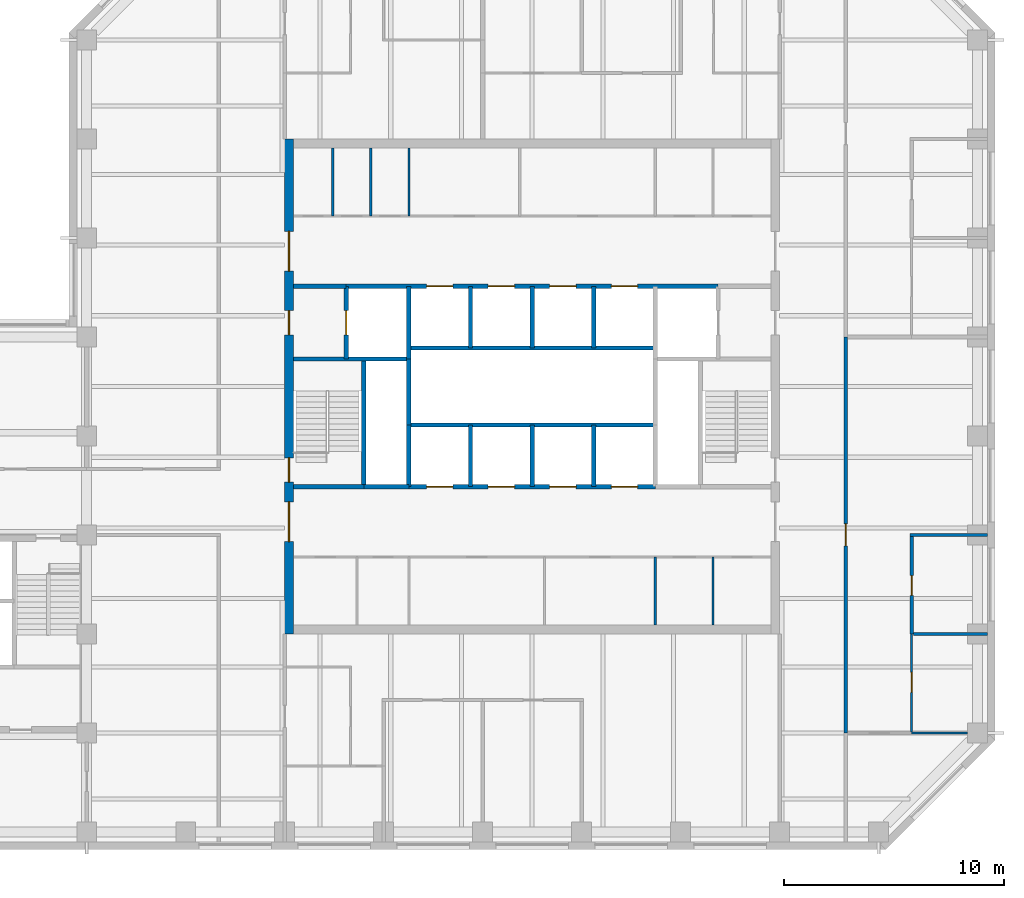
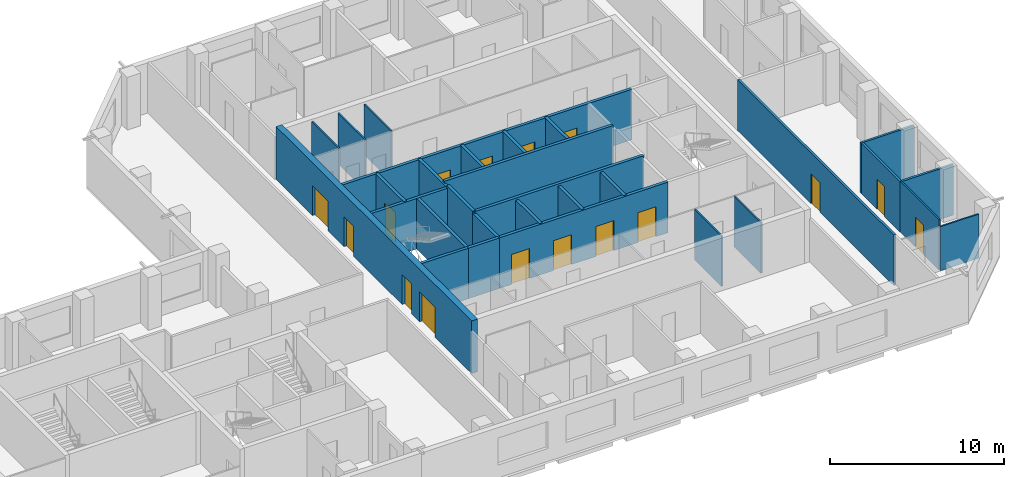
# One storey, part 5 of 9: 31 walls, 16 doors, 16 openings.
"""IFC4 building model written with IfcOpenShell, lengths in metres."""

from ifc_helpers import new_model, si_unit, direction, frame, frame_2d, origin, place, context, subcontext, project, spatial, rectangle, extrude, material, layer, layer_set, type_object, element, fill, save


model = new_model("IFC4")

# Units and contexts
model_context = context("Model", 3, precision=1e-05, world=origin(), true_north=direction((0.0, 1.0)))
body_context = subcontext(model_context, "Body", "Model", "MODEL_VIEW")
ifc_project = project(units=[si_unit("LENGTHUNIT", "METRE"), si_unit("AREAUNIT", "SQUARE_METRE"), si_unit("VOLUMEUNIT", "CUBIC_METRE"), si_unit("PLANEANGLEUNIT", "RADIAN"), si_unit("MASSUNIT", "GRAM", prefix="KILO")], contexts=[model_context])

# Site, building, storey
site_placement = place(None, origin())
site = spatial("IfcSite", under=ifc_project, at=site_placement, CompositionType="ELEMENT")
building_placement = place(site_placement, origin())
building = spatial("IfcBuilding", under=site, at=building_placement, Name="Quoin Convention Tower", CompositionType="ELEMENT")
storey_placement = place(building_placement, frame((0.0, 0.0, 245.199951171875)))
storey = spatial("IfcBuildingStorey", under=building, at=storey_placement, Name="L64", CompositionType="ELEMENT", Elevation=245.199951171875)

# Walls
ifc_material_1 = material(Name="Plasterboard")
ifc_layer_1 = layer(ifc_material_1, 0.012451171875, Name="Finish")
ifc_material_2 = material(Name="Steel stud framing", Category="steel")
ifc_layer_2 = layer(ifc_material_2, 0.125, Name="Structure")
ifc_layer_3 = layer(ifc_material_1, 0.012451171875, Name="Finish")
ifc_layer_set_1 = layer_set([ifc_layer_1, ifc_layer_2, ifc_layer_3], Name="Steel stud framing")
wall_type_1 = type_object("IfcWallType", Name="Acoustic partition 150", PredefinedType="PARTITIONING", material=ifc_layer_set_1)
wall_1_placement = place(storey_placement, frame((73.574951171875, 49.5, 0.0), z_axis=(0.0, 0.0, 1.0), x_axis=(1.0, 0.0, 0.0)))
element("IfcWall", 1, at=wall_1_placement, inside=storey, type_object=wall_type_1, Name="pw-L64-013", PredefinedType="PARTITIONING", context=body_context, shape_type="SweptSolid", body=[
    extrude(rectangle(XDim=3.375, YDim=0.14990234375, at=frame_2d((1.6875, 0.0))), origin(), (0.0, 0.0, 1.0), 3.550048828125),
])
wall_2_placement = place(storey_placement, frame((73.425048828125, 54.0, 0.0), z_axis=(0.0, 0.0, 1.0), x_axis=(1.0, 0.0, 0.0)))
element("IfcWall", 2, at=wall_2_placement, inside=storey, type_object=wall_type_1, Name="pw-L64-017", PredefinedType="PARTITIONING", context=body_context, shape_type="SweptSolid", body=[
    extrude(rectangle(XDim=3.52490234375, YDim=0.14990234375, at=frame_2d((1.762451171875, 0.0))), origin(), (0.0, 0.0, 1.0), 3.550048828125),
])

# Wall, opening, door
wall_3_placement = place(storey_placement, frame((73.5, 49.5, 0.0), z_axis=(0.0, 0.0, 1.0), x_axis=(0.0, 1.0, 0.0)))
wall_3 = element("IfcWall", 3, at=wall_3_placement, inside=storey, type_object=wall_type_1, Name="pw-L64-054", PredefinedType="PARTITIONING", context=body_context, shape_type="SweptSolid", body=[
    extrude(rectangle(XDim=4.425048828125, YDim=0.14990234375, at=frame_2d((2.21240234375, 0.0))), origin(), (0.0, 0.0, 1.0), 3.550048828125),
])
opening_1_placement = place(wall_3_placement, frame((1.75, 0.0, 0.0)))
opening_1 = element("IfcOpeningElement", 4, at=opening_1_placement, cuts=wall_3, Name="Opening DOH12-14", PredefinedType="OPENING", context=body_context, shape_type="SweptSolid", body=[
    extrude(rectangle(XDim=0.89990234375, YDim=2.10009765625, at=frame_2d((0.449951171875, 1.050048828125))), frame((0.0, 0.0849609375, 0.0), z_axis=(0.0, -1.0, 0.0), x_axis=(1.0, 0.0, 0.0)), (0.0, 0.0, 1.0), 0.169921875),
])
ifc_material_3 = material(Name="Steel door leaf", Category="steel")
door_type_1 = type_object("IfcDoorType", Name="Office door 900 x 2100", OperationType="SINGLE_SWING_RIGHT", PredefinedType="DOOR", material=ifc_material_3)
door_1_placement = place(opening_1_placement, origin())
door_1 = element("IfcDoor", 5, at=door_1_placement, inside=storey, type_object=door_type_1, Name="dr-L64-26", OperationType="SINGLE_SWING_RIGHT", OverallHeight=2.10009765625, OverallWidth=0.89990234375, PredefinedType="DOOR", context=body_context, shape_type="SweptSolid", body=[
    extrude(rectangle(XDim=0.89990234375, YDim=2.10009765625, at=frame_2d((0.449951171875, 1.050048828125))), frame((0.0, 0.02490234375, 0.0), z_axis=(0.0, -1.0, 0.0), x_axis=(1.0, 0.0, 0.0)), (0.0, 0.0, 1.0), 0.050048828125),
])
fill(opening_1, door_1)

# Walls
ifc_layer_4 = layer(ifc_material_1, 0.012451171875, Name="Finish")
ifc_layer_5 = layer(ifc_material_2, 0.074951171875, Name="Structure")
ifc_layer_6 = layer(ifc_material_1, 0.012451171875, Name="Finish")
ifc_layer_set_2 = layer_set([ifc_layer_4, ifc_layer_5, ifc_layer_6], Name="Steel stud framing")
wall_type_2 = type_object("IfcWallType", Name="Core partition wall", PredefinedType="PARTITIONING", material=ifc_layer_set_2)
for number, where, z_axis, x_axis, name in (
    (6, (47.18505859375, 68.5, 0.0), (0.0, 0.0, 1.0), (0.0, 1.0, 0.0), "cr-C1-L64-v2185_19000"),
    (7, (48.91748046875, 68.5, 0.0), (0.0, 0.0, 1.0), (0.0, 1.0, 0.0), "cr-C1-L64-v3918_19000"),
    (8, (50.64990234375, 68.5, 0.0), (0.0, 0.0, 1.0), (0.0, 1.0, 0.0), "cr-C1-L64-v5650_19000"),
    (9, (61.85009765625, 49.89990234375, 0.0), (0.0, 0.0, 1.0), (0.0, 1.0, 0.0), "cr-C1-L64-v16850_400"),
    (10, (64.47509765625, 49.89990234375, 0.0), (0.0, 0.0, 1.0), (0.0, 1.0, 0.0), "cr-C1-L64-v19475_400"),
):
    element("IfcWall", number, at=place(storey_placement, frame(where, z_axis=z_axis, x_axis=x_axis)), inside=storey, type_object=wall_type_2, Name=name, PredefinedType="PARTITIONING", context=body_context, shape_type="SweptSolid", body=[
        extrude(rectangle(XDim=3.10009765625, YDim=0.10009765625, at=frame_2d((1.550048828125, 0.0))), origin(), (0.0, 0.0, 1.0), 3.550048828125),
    ])
ifc_material_4 = material(Name="Concrete C50", Category="concrete")
ifc_layer_7 = layer(ifc_material_4, 0.199951171875)
ifc_layer_set_3 = layer_set([ifc_layer_7], Name="Concrete C50")
wall_type_3 = type_object("IfcWallType", Name="Core shaft wall", PredefinedType="SOLIDWALL", material=ifc_layer_set_3)
wall_4_placement = place(storey_placement, frame((48.60009765625, 56.199951171875, 0.0), z_axis=(0.0, 0.0, 1.0), x_axis=(1.0, 0.0, 0.0)))
element("IfcWall", 11, at=wall_4_placement, inside=storey, type_object=wall_type_3, Name="cr-C1-L64-h6700_3600", PredefinedType="SOLIDWALL", context=body_context, shape_type="SweptSolid", body=[
    extrude(rectangle(XDim=2.0498046875, YDim=0.199951171875, at=frame_2d((1.02490234375, 0.0))), origin(), (0.0, 0.0, 1.0), 3.550048828125),
])
wall_5_placement = place(storey_placement, frame((45.39990234375, 56.199951171875, 0.0), z_axis=(0.0, 0.0, 1.0), x_axis=(1.0, 0.0, 0.0)))
element("IfcWall", 12, at=wall_5_placement, inside=storey, type_object=wall_type_3, Name="cr-C1-L64-h6700_400", PredefinedType="SOLIDWALL", context=body_context, shape_type="SweptSolid", body=[
    extrude(rectangle(XDim=3.2001953125, YDim=0.199951171875, at=frame_2d((1.60009765625, 0.0))), origin(), (0.0, 0.0, 1.0), 3.550048828125),
])

# Wall, openings, doors
wall_6_placement = place(storey_placement, frame((50.64990234375, 56.199951171875, 0.0), z_axis=(0.0, 0.0, 1.0), x_axis=(1.0, 0.0, 0.0)))
wall_6 = element("IfcWall", 13, at=wall_6_placement, inside=storey, type_object=wall_type_3, Name="cr-C1-L64-h6700_5650", PredefinedType="SOLIDWALL", context=body_context, shape_type="SweptSolid", body=[
    extrude(rectangle(XDim=11.2001953125, YDim=0.199951171875, at=frame_2d((5.60009765625, 0.0))), origin(), (0.0, 0.0, 1.0), 3.550048828125),
])
opening_2_placement = place(wall_6_placement, frame((0.800048828125, 0.0, 0.0)))
opening_2 = element("IfcOpeningElement", 14, at=opening_2_placement, cuts=wall_6, Name="Opening LDH1", PredefinedType="OPENING", context=body_context, shape_type="SweptSolid", body=[
    extrude(rectangle(XDim=1.199951171875, YDim=2.10009765625, at=frame_2d((0.60009765625, 1.050048828125))), frame((0.0, 0.10986328125, 0.0), z_axis=(0.0, -1.0, 0.0), x_axis=(1.0, 0.0, 0.0)), (0.0, 0.0, 1.0), 0.219970703125),
])
opening_3_placement = place(wall_6_placement, frame((3.60009765625, 0.0, 0.0)))
opening_3 = element("IfcOpeningElement", 15, at=opening_3_placement, cuts=wall_6, Name="Opening LDH2", PredefinedType="OPENING", context=body_context, shape_type="SweptSolid", body=[
    extrude(rectangle(XDim=1.199951171875, YDim=2.10009765625, at=frame_2d((0.60009765625, 1.050048828125))), frame((0.0, 0.10986328125, 0.0), z_axis=(0.0, -1.0, 0.0), x_axis=(1.0, 0.0, 0.0)), (0.0, 0.0, 1.0), 0.219970703125),
])
opening_4_placement = place(wall_6_placement, frame((6.39990234375, 0.0, 0.0)))
opening_4 = element("IfcOpeningElement", 16, at=opening_4_placement, cuts=wall_6, Name="Opening LDH3", PredefinedType="OPENING", context=body_context, shape_type="SweptSolid", body=[
    extrude(rectangle(XDim=1.199951171875, YDim=2.10009765625, at=frame_2d((0.60009765625, 1.050048828125))), frame((0.0, 0.10986328125, 0.0), z_axis=(0.0, -1.0, 0.0), x_axis=(1.0, 0.0, 0.0)), (0.0, 0.0, 1.0), 0.219970703125),
])
opening_5_placement = place(wall_6_placement, frame((9.199951171875, 0.0, 0.0)))
opening_5 = element("IfcOpeningElement", 17, at=opening_5_placement, cuts=wall_6, Name="Opening LDH4", PredefinedType="OPENING", context=body_context, shape_type="SweptSolid", body=[
    extrude(rectangle(XDim=1.199951171875, YDim=2.10009765625, at=frame_2d((0.60009765625, 1.050048828125))), frame((0.0, 0.10986328125, 0.0), z_axis=(0.0, -1.0, 0.0), x_axis=(1.0, 0.0, 0.0)), (0.0, 0.0, 1.0), 0.219970703125),
])
door_type_2 = type_object("IfcDoorType", Name="Lift landing door 1200 x 2100", OperationType="DOUBLE_DOOR_SLIDING", PredefinedType="DOOR", material=ifc_material_3)
door_2_placement = place(opening_2_placement, origin())
door_2 = element("IfcDoor", 18, at=door_2_placement, inside=storey, type_object=door_type_2, Name="cd-C1-L64-R20-lobA-LDH1", OperationType="DOUBLE_DOOR_SLIDING", OverallHeight=2.10009765625, OverallWidth=1.199951171875, PredefinedType="DOOR", context=body_context, shape_type="SweptSolid", body=[
    extrude(rectangle(XDim=1.199951171875, YDim=2.10009765625, at=frame_2d((0.60009765625, 1.050048828125))), frame((0.0, 0.02490234375, 0.0), z_axis=(0.0, -1.0, 0.0), x_axis=(1.0, 0.0, 0.0)), (0.0, 0.0, 1.0), 0.050048828125),
])
fill(opening_2, door_2)
door_3_placement = place(opening_3_placement, origin())
door_3 = element("IfcDoor", 19, at=door_3_placement, inside=storey, type_object=door_type_2, Name="cd-C1-L64-R21-lobA-LDH2", OperationType="DOUBLE_DOOR_SLIDING", OverallHeight=2.10009765625, OverallWidth=1.199951171875, PredefinedType="DOOR", context=body_context, shape_type="SweptSolid", body=[
    extrude(rectangle(XDim=1.199951171875, YDim=2.10009765625, at=frame_2d((0.60009765625, 1.050048828125))), frame((0.0, 0.02490234375, 0.0), z_axis=(0.0, -1.0, 0.0), x_axis=(1.0, 0.0, 0.0)), (0.0, 0.0, 1.0), 0.050048828125),
])
fill(opening_3, door_3)
door_4_placement = place(opening_4_placement, origin())
door_4 = element("IfcDoor", 20, at=door_4_placement, inside=storey, type_object=door_type_2, Name="cd-C1-L64-R22-lobA-LDH3", OperationType="DOUBLE_DOOR_SLIDING", OverallHeight=2.10009765625, OverallWidth=1.199951171875, PredefinedType="DOOR", context=body_context, shape_type="SweptSolid", body=[
    extrude(rectangle(XDim=1.199951171875, YDim=2.10009765625, at=frame_2d((0.60009765625, 1.050048828125))), frame((0.0, 0.02490234375, 0.0), z_axis=(0.0, -1.0, 0.0), x_axis=(1.0, 0.0, 0.0)), (0.0, 0.0, 1.0), 0.050048828125),
])
fill(opening_4, door_4)
door_5_placement = place(opening_5_placement, origin())
door_5 = element("IfcDoor", 21, at=door_5_placement, inside=storey, type_object=door_type_2, Name="cd-C1-L64-R23-lobA-LDH4", OperationType="DOUBLE_DOOR_SLIDING", OverallHeight=2.10009765625, OverallWidth=1.199951171875, PredefinedType="DOOR", context=body_context, shape_type="SweptSolid", body=[
    extrude(rectangle(XDim=1.199951171875, YDim=2.10009765625, at=frame_2d((0.60009765625, 1.050048828125))), frame((0.0, 0.02490234375, 0.0), z_axis=(0.0, -1.0, 0.0), x_axis=(1.0, 0.0, 0.0)), (0.0, 0.0, 1.0), 0.050048828125),
])
fill(opening_5, door_5)

# Walls
wall_7_placement = place(storey_placement, frame((45.39990234375, 62.0, 0.0), z_axis=(0.0, 0.0, 1.0), x_axis=(1.0, 0.0, 0.0)))
element("IfcWall", 22, at=wall_7_placement, inside=storey, type_object=wall_type_3, Name="cr-C1-L64-h12500_400", PredefinedType="SOLIDWALL", context=body_context, shape_type="SweptSolid", body=[
    extrude(rectangle(XDim=5.25, YDim=0.199951171875, at=frame_2d((2.625, 0.0))), origin(), (0.0, 0.0, 1.0), 3.550048828125),
])
wall_8_placement = place(storey_placement, frame((45.39990234375, 65.300048828125, 0.0), z_axis=(0.0, 0.0, 1.0), x_axis=(1.0, 0.0, 0.0)))
element("IfcWall", 23, at=wall_8_placement, inside=storey, type_object=wall_type_3, Name="cr-C1-L64-h15800_400", PredefinedType="SOLIDWALL", context=body_context, shape_type="SweptSolid", body=[
    extrude(rectangle(XDim=2.400146484375, YDim=0.199951171875, at=frame_2d((1.2001953125, 0.0))), origin(), (0.0, 0.0, 1.0), 3.550048828125),
])

# Wall, openings, doors
wall_9_placement = place(storey_placement, frame((47.800048828125, 65.300048828125, 0.0), z_axis=(0.0, 0.0, 1.0), x_axis=(1.0, 0.0, 0.0)))
wall_9 = element("IfcWall", 24, at=wall_9_placement, inside=storey, type_object=wall_type_3, Name="cr-C1-L64-h15800_2800", PredefinedType="SOLIDWALL", context=body_context, shape_type="SweptSolid", body=[
    extrude(rectangle(XDim=16.89990234375, YDim=0.199951171875, at=frame_2d((8.449951171875, 0.0))), origin(), (0.0, 0.0, 1.0), 3.550048828125),
])
opening_6_placement = place(wall_9_placement, frame((3.64990234375, 0.0, 0.0)))
opening_6 = element("IfcOpeningElement", 25, at=opening_6_placement, cuts=wall_9, Name="Opening LDH5", PredefinedType="OPENING", context=body_context, shape_type="SweptSolid", body=[
    extrude(rectangle(XDim=1.199951171875, YDim=2.10009765625, at=frame_2d((0.60009765625, 1.050048828125))), frame((0.0, 0.10986328125, 0.0), z_axis=(0.0, -1.0, 0.0), x_axis=(1.0, 0.0, 0.0)), (0.0, 0.0, 1.0), 0.219970703125),
])
opening_7_placement = place(wall_9_placement, frame((6.449951171875, 0.0, 0.0)))
opening_7 = element("IfcOpeningElement", 26, at=opening_7_placement, cuts=wall_9, Name="Opening LDH6", PredefinedType="OPENING", context=body_context, shape_type="SweptSolid", body=[
    extrude(rectangle(XDim=1.199951171875, YDim=2.10009765625, at=frame_2d((0.60009765625, 1.050048828125))), frame((0.0, 0.10986328125, 0.0), z_axis=(0.0, -1.0, 0.0), x_axis=(1.0, 0.0, 0.0)), (0.0, 0.0, 1.0), 0.219970703125),
])
opening_8_placement = place(wall_9_placement, frame((9.25, 0.0, 0.0)))
opening_8 = element("IfcOpeningElement", 27, at=opening_8_placement, cuts=wall_9, Name="Opening LDH7", PredefinedType="OPENING", context=body_context, shape_type="SweptSolid", body=[
    extrude(rectangle(XDim=1.199951171875, YDim=2.10009765625, at=frame_2d((0.60009765625, 1.050048828125))), frame((0.0, 0.10986328125, 0.0), z_axis=(0.0, -1.0, 0.0), x_axis=(1.0, 0.0, 0.0)), (0.0, 0.0, 1.0), 0.219970703125),
])
opening_9_placement = place(wall_9_placement, frame((12.050048828125, 0.0, 0.0)))
opening_9 = element("IfcOpeningElement", 28, at=opening_9_placement, cuts=wall_9, Name="Opening LDH8", PredefinedType="OPENING", context=body_context, shape_type="SweptSolid", body=[
    extrude(rectangle(XDim=1.199951171875, YDim=2.10009765625, at=frame_2d((0.60009765625, 1.050048828125))), frame((0.0, 0.10986328125, 0.0), z_axis=(0.0, -1.0, 0.0), x_axis=(1.0, 0.0, 0.0)), (0.0, 0.0, 1.0), 0.219970703125),
])
door_6_placement = place(opening_6_placement, origin())
door_6 = element("IfcDoor", 29, at=door_6_placement, inside=storey, type_object=door_type_2, Name="cd-C1-L64-R30-lobB-LDH5", OperationType="DOUBLE_DOOR_SLIDING", OverallHeight=2.10009765625, OverallWidth=1.199951171875, PredefinedType="DOOR", context=body_context, shape_type="SweptSolid", body=[
    extrude(rectangle(XDim=1.199951171875, YDim=2.10009765625, at=frame_2d((0.60009765625, 1.050048828125))), frame((0.0, 0.02490234375, 0.0), z_axis=(0.0, -1.0, 0.0), x_axis=(1.0, 0.0, 0.0)), (0.0, 0.0, 1.0), 0.050048828125),
])
fill(opening_6, door_6)
door_7_placement = place(opening_7_placement, origin())
door_7 = element("IfcDoor", 30, at=door_7_placement, inside=storey, type_object=door_type_2, Name="cd-C1-L64-R31-lobB-LDH6", OperationType="DOUBLE_DOOR_SLIDING", OverallHeight=2.10009765625, OverallWidth=1.199951171875, PredefinedType="DOOR", context=body_context, shape_type="SweptSolid", body=[
    extrude(rectangle(XDim=1.199951171875, YDim=2.10009765625, at=frame_2d((0.60009765625, 1.050048828125))), frame((0.0, 0.02490234375, 0.0), z_axis=(0.0, -1.0, 0.0), x_axis=(1.0, 0.0, 0.0)), (0.0, 0.0, 1.0), 0.050048828125),
])
fill(opening_7, door_7)
door_8_placement = place(opening_8_placement, origin())
door_8 = element("IfcDoor", 31, at=door_8_placement, inside=storey, type_object=door_type_2, Name="cd-C1-L64-R32-lobB-LDH7", OperationType="DOUBLE_DOOR_SLIDING", OverallHeight=2.10009765625, OverallWidth=1.199951171875, PredefinedType="DOOR", context=body_context, shape_type="SweptSolid", body=[
    extrude(rectangle(XDim=1.199951171875, YDim=2.10009765625, at=frame_2d((0.60009765625, 1.050048828125))), frame((0.0, 0.02490234375, 0.0), z_axis=(0.0, -1.0, 0.0), x_axis=(1.0, 0.0, 0.0)), (0.0, 0.0, 1.0), 0.050048828125),
])
fill(opening_8, door_8)
door_9_placement = place(opening_9_placement, origin())
door_9 = element("IfcDoor", 32, at=door_9_placement, inside=storey, type_object=door_type_2, Name="cd-C1-L64-R33-lobB-LDH8", OperationType="DOUBLE_DOOR_SLIDING", OverallHeight=2.10009765625, OverallWidth=1.199951171875, PredefinedType="DOOR", context=body_context, shape_type="SweptSolid", body=[
    extrude(rectangle(XDim=1.199951171875, YDim=2.10009765625, at=frame_2d((0.60009765625, 1.050048828125))), frame((0.0, 0.02490234375, 0.0), z_axis=(0.0, -1.0, 0.0), x_axis=(1.0, 0.0, 0.0)), (0.0, 0.0, 1.0), 0.050048828125),
])
fill(opening_9, door_9)

# Wall, opening, door
wall_10_placement = place(storey_placement, frame((47.800048828125, 62.0, 0.0), z_axis=(0.0, 0.0, 1.0), x_axis=(0.0, 1.0, 0.0)))
wall_10 = element("IfcWall", 33, at=wall_10_placement, inside=storey, type_object=wall_type_3, Name="cr-C1-L64-v2800_12500", PredefinedType="SOLIDWALL", context=body_context, shape_type="SweptSolid", body=[
    extrude(rectangle(XDim=3.300048828125, YDim=0.199951171875, at=frame_2d((1.64990234375, 0.0))), origin(), (0.0, 0.0, 1.0), 3.550048828125),
])
opening_10_placement = place(wall_10_placement, frame((1.10009765625, 0.0, 0.0)))
opening_10 = element("IfcOpeningElement", 34, at=opening_10_placement, cuts=wall_10, Name="Opening LDFL1", PredefinedType="OPENING", context=body_context, shape_type="SweptSolid", body=[
    extrude(rectangle(XDim=1.10009765625, YDim=2.10009765625, at=frame_2d((0.550048828125, 1.050048828125))), frame((0.0, 0.10986328125, 0.0), z_axis=(0.0, -1.0, 0.0), x_axis=(1.0, 0.0, 0.0)), (0.0, 0.0, 1.0), 0.219970703125),
])
door_type_3 = type_object("IfcDoorType", Name="Lift landing door 1100 x 2100", OperationType="DOUBLE_DOOR_SLIDING", PredefinedType="DOOR", material=ifc_material_3)
door_10_placement = place(opening_10_placement, origin())
door_10 = element("IfcDoor", 35, at=door_10_placement, inside=storey, type_object=door_type_3, Name="cd-C1-L64-FLW-FFW-LDFL1", OperationType="DOUBLE_DOOR_SLIDING", OverallHeight=2.10009765625, OverallWidth=1.10009765625, PredefinedType="DOOR", context=body_context, shape_type="SweptSolid", body=[
    extrude(rectangle(XDim=1.10009765625, YDim=2.10009765625, at=frame_2d((0.550048828125, 1.050048828125))), frame((0.0, 0.02490234375, 0.0), z_axis=(0.0, -1.0, 0.0), x_axis=(1.0, 0.0, 0.0)), (0.0, 0.0, 1.0), 0.050048828125),
])
fill(opening_10, door_10)

# Walls
wall_11_placement = place(storey_placement, frame((48.60009765625, 56.199951171875, 0.0), z_axis=(0.0, 0.0, 1.0), x_axis=(0.0, 1.0, 0.0)))
element("IfcWall", 36, at=wall_11_placement, inside=storey, type_object=wall_type_3, Name="cr-C1-L64-v3600_6700", PredefinedType="SOLIDWALL", context=body_context, shape_type="SweptSolid", body=[
    extrude(rectangle(XDim=5.800048828125, YDim=0.199951171875, at=frame_2d((2.89990234375, 0.0))), origin(), (0.0, 0.0, 1.0), 3.550048828125),
])
wall_12_placement = place(storey_placement, frame((50.64990234375, 56.199951171875, 0.0), z_axis=(0.0, 0.0, 1.0), x_axis=(0.0, 1.0, 0.0)))
element("IfcWall", 37, at=wall_12_placement, inside=storey, type_object=wall_type_3, Name="cr-C1-L64-v5650_6700", PredefinedType="SOLIDWALL", context=body_context, shape_type="SweptSolid", body=[
    extrude(rectangle(XDim=2.800048828125, YDim=0.199951171875, at=frame_2d((1.39990234375, 0.0))), origin(), (0.0, 0.0, 1.0), 3.550048828125),
])
wall_13_placement = place(storey_placement, frame((50.64990234375, 62.0, 0.0), z_axis=(0.0, 0.0, 1.0), x_axis=(0.0, 1.0, 0.0)))
element("IfcWall", 38, at=wall_13_placement, inside=storey, type_object=wall_type_3, Name="cr-C1-L64-v5650_12500", PredefinedType="SOLIDWALL", context=body_context, shape_type="SweptSolid", body=[
    extrude(rectangle(XDim=3.300048828125, YDim=0.199951171875, at=frame_2d((1.64990234375, 0.0))), origin(), (0.0, 0.0, 1.0), 3.550048828125),
])
for number, where, z_axis, x_axis, name in (
    (39, (53.449951171875, 56.199951171875, 0.0), (0.0, 0.0, 1.0), (0.0, 1.0, 0.0), "cr-C1-L64-v8450_6700"),
    (40, (53.449951171875, 62.5, 0.0), (0.0, 0.0, 1.0), (0.0, 1.0, 0.0), "cr-C1-L64-v8450_13000"),
    (41, (56.25, 56.199951171875, 0.0), (0.0, 0.0, 1.0), (0.0, 1.0, 0.0), "cr-C1-L64-v11250_6700"),
    (42, (56.25, 62.5, 0.0), (0.0, 0.0, 1.0), (0.0, 1.0, 0.0), "cr-C1-L64-v11250_13000"),
    (43, (59.050048828125, 56.199951171875, 0.0), (0.0, 0.0, 1.0), (0.0, 1.0, 0.0), "cr-C1-L64-v14050_6700"),
    (44, (59.050048828125, 62.5, 0.0), (0.0, 0.0, 1.0), (0.0, 1.0, 0.0), "cr-C1-L64-v14050_13000"),
):
    element("IfcWall", number, at=place(storey_placement, frame(where, z_axis=z_axis, x_axis=x_axis)), inside=storey, type_object=wall_type_3, Name=name, PredefinedType="SOLIDWALL", context=body_context, shape_type="SweptSolid", body=[
        extrude(rectangle(XDim=2.800048828125, YDim=0.199951171875, at=frame_2d((1.39990234375, 0.0))), origin(), (0.0, 0.0, 1.0), 3.550048828125),
    ])
ifc_layer_8 = layer(ifc_material_4, 0.199951171875)
ifc_layer_set_4 = layer_set([ifc_layer_8], Name="Concrete C50")
wall_type_4 = type_object("IfcWallType", Name="Core shaft wall to the floor level over", PredefinedType="SOLIDWALL", material=ifc_layer_set_4)
for number, where, z_axis, x_axis, name in (
    (45, (50.64990234375, 59.0, 0.0), (0.0, 0.0, 1.0), (1.0, 0.0, 0.0), "cr-C1-L64-h9500_5650"),
    (46, (50.64990234375, 62.5, 0.0), (0.0, 0.0, 1.0), (1.0, 0.0, 0.0), "cr-C1-L64-h13000_5650"),
):
    element("IfcWall", number, at=place(storey_placement, frame(where, z_axis=z_axis, x_axis=x_axis)), inside=storey, type_object=wall_type_4, Name=name, PredefinedType="SOLIDWALL", context=body_context, shape_type="SweptSolid", body=[
        extrude(rectangle(XDim=11.2001953125, YDim=0.199951171875, at=frame_2d((5.60009765625, 0.0))), origin(), (0.0, 0.0, 1.0), 3.699951171875),
    ])
wall_14_placement = place(storey_placement, frame((50.64990234375, 59.0, 0.0), z_axis=(0.0, 0.0, 1.0), x_axis=(0.0, 1.0, 0.0)))
element("IfcWall", 47, at=wall_14_placement, inside=storey, type_object=wall_type_4, Name="cr-C1-L64-v5650_9500", PredefinedType="SOLIDWALL", context=body_context, shape_type="SweptSolid", body=[
    extrude(rectangle(XDim=3.0, YDim=0.199951171875, at=frame_2d((1.5, 0.0))), origin(), (0.0, 0.0, 1.0), 3.699951171875),
])

# Wall, opening, door
ifc_layer_9 = layer(ifc_material_1, 0.012451171875, Name="Finish")
ifc_layer_10 = layer(ifc_material_2, 0.125, Name="Structure")
ifc_layer_11 = layer(ifc_material_1, 0.012451171875, Name="Finish")
ifc_layer_set_5 = layer_set([ifc_layer_9, ifc_layer_10, ifc_layer_11], Name="Steel stud framing")
wall_type_5 = type_object("IfcWallType", Name="Corridor wall 150", PredefinedType="PARTITIONING", material=ifc_layer_set_5)
wall_15_placement = place(storey_placement, frame((70.5, 45.0, 0.0), z_axis=(0.0, 0.0, 1.0), x_axis=(0.0, 1.0, 0.0)))
wall_15 = element("IfcWall", 48, at=wall_15_placement, inside=storey, type_object=wall_type_5, Name="pw-L64-047", PredefinedType="PARTITIONING", context=body_context, shape_type="SweptSolid", body=[
    extrude(rectangle(XDim=18.0, YDim=0.14990234375, at=frame_2d((9.0, 0.0))), origin(), (0.0, 0.0, 1.0), 3.550048828125),
])
opening_11_placement = place(wall_15_placement, frame((8.5, 0.0, 0.0)))
opening_11 = element("IfcOpeningElement", 49, at=opening_11_placement, cuts=wall_15, Name="Opening DOH12-12", PredefinedType="OPENING", context=body_context, shape_type="SweptSolid", body=[
    extrude(rectangle(XDim=1.0, YDim=2.10009765625, at=frame_2d((0.5, 1.050048828125))), frame((0.0, 0.0849609375, 0.0), z_axis=(0.0, -1.0, 0.0), x_axis=(1.0, 0.0, 0.0)), (0.0, 0.0, 1.0), 0.169921875),
])
door_type_4 = type_object("IfcDoorType", Name="Tenancy entrance door 1000 x 2100", OperationType="DOUBLE_DOOR_SINGLE_SWING", PredefinedType="DOOR", material=ifc_material_3)
door_11_placement = place(opening_11_placement, frame((1.0, 0.0, 0.0), z_axis=(0.0, 0.0, 1.0), x_axis=(-1.0, 0.0, 0.0)))
door_11 = element("IfcDoor", 50, at=door_11_placement, inside=storey, type_object=door_type_4, Name="dr-L64-23", OperationType="DOUBLE_DOOR_SINGLE_SWING", OverallHeight=2.10009765625, OverallWidth=1.0, PredefinedType="DOOR", context=body_context, shape_type="SweptSolid", body=[
    extrude(rectangle(XDim=1.0, YDim=2.10009765625, at=frame_2d((0.5, 1.050048828125))), frame((0.0, 0.02490234375, 0.0), z_axis=(0.0, -1.0, 0.0), x_axis=(1.0, 0.0, 0.0)), (0.0, 0.0, 1.0), 0.050048828125),
])
fill(opening_11, door_11)

# Wall, openings, doors
ifc_layer_12 = layer(ifc_material_4, 0.39990234375)
ifc_layer_set_6 = layer_set([ifc_layer_12], Name="Concrete C50")
wall_type_6 = type_object("IfcWallType", Name="RC CORE WALL 400 C50", PredefinedType="SHEAR", material=ifc_layer_set_6)
wall_16_placement = place(storey_placement, frame((45.199951171875, 49.5, 0.0), z_axis=(0.0, 0.0, 1.0), x_axis=(0.0, 1.0, 0.0)))
wall_16 = element("IfcWall", 51, at=wall_16_placement, inside=storey, type_object=wall_type_6, Name="cwl-C1-L64-W", PredefinedType="SHEAR", context=body_context, shape_type="SweptSolid", body=[
    extrude(rectangle(XDim=22.5, YDim=0.39990234375, at=frame_2d((11.25, 0.0))), origin(), (0.0, 0.0, 1.0), 3.699951171875),
])
opening_12_placement = place(wall_16_placement, frame((4.199951171875, 0.0, 0.0)))
opening_12 = element("IfcOpeningElement", 52, at=opening_12_placement, cuts=wall_16, Name="Opening DCV4-41", PredefinedType="OPENING", context=body_context, shape_type="SweptSolid", body=[
    extrude(rectangle(XDim=1.800048828125, YDim=2.10009765625, at=frame_2d((0.89990234375, 1.050048828125))), frame((0.0, 0.2099609375, 0.0), z_axis=(0.0, -1.0, 0.0), x_axis=(1.0, 0.0, 0.0)), (0.0, 0.0, 1.0), 0.419921875),
])
opening_13_placement = place(wall_16_placement, frame((6.89990234375, 0.0, 0.0)))
opening_13 = element("IfcOpeningElement", 53, at=opening_13_placement, cuts=wall_16, Name="Opening SD1", PredefinedType="OPENING", context=body_context, shape_type="SweptSolid", body=[
    extrude(rectangle(XDim=1.10009765625, YDim=2.10009765625, at=frame_2d((0.550048828125, 1.050048828125))), frame((0.0, 0.2099609375, 0.0), z_axis=(0.0, -1.0, 0.0), x_axis=(1.0, 0.0, 0.0)), (0.0, 0.0, 1.0), 0.419921875),
])
opening_14_placement = place(wall_16_placement, frame((13.60009765625, 0.0, 0.0)))
opening_14 = element("IfcOpeningElement", 54, at=opening_14_placement, cuts=wall_16, Name="Opening DCV4-40", PredefinedType="OPENING", context=body_context, shape_type="SweptSolid", body=[
    extrude(rectangle(XDim=1.10009765625, YDim=2.10009765625, at=frame_2d((0.550048828125, 1.050048828125))), frame((0.0, 0.2099609375, 0.0), z_axis=(0.0, -1.0, 0.0), x_axis=(1.0, 0.0, 0.0)), (0.0, 0.0, 1.0), 0.419921875),
])
opening_15_placement = place(wall_16_placement, frame((16.5, 0.0, 0.0)))
opening_15 = element("IfcOpeningElement", 55, at=opening_15_placement, cuts=wall_16, Name="Opening DCV4-41", PredefinedType="OPENING", context=body_context, shape_type="SweptSolid", body=[
    extrude(rectangle(XDim=1.800048828125, YDim=2.10009765625, at=frame_2d((0.89990234375, 1.050048828125))), frame((0.0, 0.2099609375, 0.0), z_axis=(0.0, -1.0, 0.0), x_axis=(1.0, 0.0, 0.0)), (0.0, 0.0, 1.0), 0.419921875),
])
door_type_5 = type_object("IfcDoorType", Name="Fire-fighting lobby door 1100 x 2100", OperationType="SINGLE_SWING_LEFT", PredefinedType="DOOR", material=ifc_material_3)
door_12_placement = place(opening_14_placement, frame((1.10009765625, 0.0, 0.0), z_axis=(0.0, 0.0, 1.0), x_axis=(-1.0, 0.0, 0.0)))
door_12 = element("IfcDoor", 56, at=door_12_placement, inside=storey, type_object=door_type_5, Name="cd-C1-L64-FFW-W", OperationType="SINGLE_SWING_LEFT", OverallHeight=2.10009765625, OverallWidth=1.10009765625, PredefinedType="DOOR", context=body_context, shape_type="SweptSolid", body=[
    extrude(rectangle(XDim=1.10009765625, YDim=2.10009765625, at=frame_2d((0.550048828125, 1.050048828125))), frame((0.0, 0.02490234375, 0.0), z_axis=(0.0, -1.0, 0.0), x_axis=(1.0, 0.0, 0.0)), (0.0, 0.0, 1.0), 0.050048828125),
])
fill(opening_14, door_12)
door_type_6 = type_object("IfcDoorType", Name="Lift lobby door 1800 x 2100", OperationType="SINGLE_SWING_LEFT", PredefinedType="DOOR", material=ifc_material_3)
door_13_placement = place(opening_12_placement, frame((1.800048828125, 0.0, 0.0), z_axis=(0.0, 0.0, 1.0), x_axis=(-1.0, 0.0, 0.0)))
door_13 = element("IfcDoor", 57, at=door_13_placement, inside=storey, type_object=door_type_6, Name="cd-C1-L64-lobA-W", OperationType="SINGLE_SWING_LEFT", OverallHeight=2.10009765625, OverallWidth=1.800048828125, PredefinedType="DOOR", context=body_context, shape_type="SweptSolid", body=[
    extrude(rectangle(XDim=1.800048828125, YDim=2.10009765625, at=frame_2d((0.89990234375, 1.050048828125))), frame((0.0, 0.02490234375, 0.0), z_axis=(0.0, -1.0, 0.0), x_axis=(1.0, 0.0, 0.0)), (0.0, 0.0, 1.0), 0.050048828125),
])
fill(opening_12, door_13)
door_14_placement = place(opening_15_placement, frame((1.800048828125, 0.0, 0.0), z_axis=(0.0, 0.0, 1.0), x_axis=(-1.0, 0.0, 0.0)))
door_14 = element("IfcDoor", 58, at=door_14_placement, inside=storey, type_object=door_type_6, Name="cd-C1-L64-lobB-W", OperationType="SINGLE_SWING_LEFT", OverallHeight=2.10009765625, OverallWidth=1.800048828125, PredefinedType="DOOR", context=body_context, shape_type="SweptSolid", body=[
    extrude(rectangle(XDim=1.800048828125, YDim=2.10009765625, at=frame_2d((0.89990234375, 1.050048828125))), frame((0.0, 0.02490234375, 0.0), z_axis=(0.0, -1.0, 0.0), x_axis=(1.0, 0.0, 0.0)), (0.0, 0.0, 1.0), 0.050048828125),
])
fill(opening_15, door_14)
door_type_7 = type_object("IfcDoorType", Name="Stair door 1100 x 2100", OperationType="SINGLE_SWING_RIGHT", PredefinedType="DOOR", material=ifc_material_3)
door_15_placement = place(opening_13_placement, frame((1.10009765625, 0.0, 0.0), z_axis=(0.0, 0.0, 1.0), x_axis=(-1.0, 0.0, 0.0)))
door_15 = element("IfcDoor", 59, at=door_15_placement, inside=storey, type_object=door_type_7, Name="cd-C1-L64-STW-W", OperationType="SINGLE_SWING_RIGHT", OverallHeight=2.10009765625, OverallWidth=1.10009765625, PredefinedType="DOOR", context=body_context, shape_type="SweptSolid", body=[
    extrude(rectangle(XDim=1.10009765625, YDim=2.10009765625, at=frame_2d((0.550048828125, 1.050048828125))), frame((0.0, 0.02490234375, 0.0), z_axis=(0.0, -1.0, 0.0), x_axis=(1.0, 0.0, 0.0)), (0.0, 0.0, 1.0), 0.050048828125),
])
fill(opening_13, door_15)

# Wall, opening, door
ifc_layer_13 = layer(ifc_material_1, 0.012451171875, Name="Finish")
ifc_layer_14 = layer(ifc_material_2, 0.074951171875, Name="Structure")
ifc_layer_15 = layer(ifc_material_1, 0.012451171875, Name="Finish")
ifc_layer_set_7 = layer_set([ifc_layer_13, ifc_layer_14, ifc_layer_15], Name="Steel stud framing")
wall_type_7 = type_object("IfcWallType", Name="Stud partition 100", PredefinedType="PARTITIONING", material=ifc_layer_set_7)
wall_17_placement = place(storey_placement, frame((73.5, 45.050048828125, 0.0), z_axis=(0.0, 0.0, 1.0), x_axis=(0.0, 1.0, 0.0)))
wall_17 = element("IfcWall", 60, at=wall_17_placement, inside=storey, type_object=wall_type_7, Name="pw-L64-049", PredefinedType="PARTITIONING", context=body_context, shape_type="SweptSolid", body=[
    extrude(rectangle(XDim=4.449951171875, YDim=0.10009765625, at=frame_2d((2.22509765625, 0.0))), origin(), (0.0, 0.0, 1.0), 3.550048828125),
])
opening_16_placement = place(wall_17_placement, frame((1.800048828125, 0.0, 0.0)))
opening_16 = element("IfcOpeningElement", 61, at=opening_16_placement, cuts=wall_17, Name="Opening DOH12-13", PredefinedType="OPENING", context=body_context, shape_type="SweptSolid", body=[
    extrude(rectangle(XDim=0.89990234375, YDim=2.10009765625, at=frame_2d((0.449951171875, 1.050048828125))), frame((0.0, 0.06005859375, 0.0), z_axis=(0.0, -1.0, 0.0), x_axis=(1.0, 0.0, 0.0)), (0.0, 0.0, 1.0), 0.1201171875),
])
door_16_placement = place(opening_16_placement, origin())
door_16 = element("IfcDoor", 62, at=door_16_placement, inside=storey, type_object=door_type_1, Name="dr-L64-25", OperationType="SINGLE_SWING_RIGHT", OverallHeight=2.10009765625, OverallWidth=0.89990234375, PredefinedType="DOOR", context=body_context, shape_type="SweptSolid", body=[
    extrude(rectangle(XDim=0.89990234375, YDim=2.10009765625, at=frame_2d((0.449951171875, 1.050048828125))), frame((0.0, 0.02490234375, 0.0), z_axis=(0.0, -1.0, 0.0), x_axis=(1.0, 0.0, 0.0)), (0.0, 0.0, 1.0), 0.050048828125),
])
fill(opening_16, door_16)

# Wall
ifc_layer_16 = layer(ifc_material_1, 0.012451171875, Name="Finish")
ifc_layer_17 = layer(ifc_material_2, 0.074951171875, Name="Structure")
ifc_layer_18 = layer(ifc_material_1, 0.012451171875, Name="Finish")
ifc_layer_set_8 = layer_set([ifc_layer_16, ifc_layer_17, ifc_layer_18], Name="Steel stud framing")
wall_type_8 = type_object("IfcWallType", Name="Stud partition 100 under beam 454", PredefinedType="PARTITIONING", material=ifc_layer_set_8)
wall_18_placement = place(storey_placement, frame((73.5, 45.0, 0.0), z_axis=(0.0, 0.0, 1.0), x_axis=(1.0, 0.0, 0.0)))
element("IfcWall", 63, at=wall_18_placement, inside=storey, type_object=wall_type_8, Name="pw-L64-007", PredefinedType="PARTITIONING", context=body_context, shape_type="SweptSolid", body=[
    extrude(rectangle(XDim=2.550048828125, YDim=0.10009765625, at=frame_2d((1.27490234375, 0.0))), origin(), (0.0, 0.0, 1.0), 3.095947265625),
])

save(model, "model.ifc")
